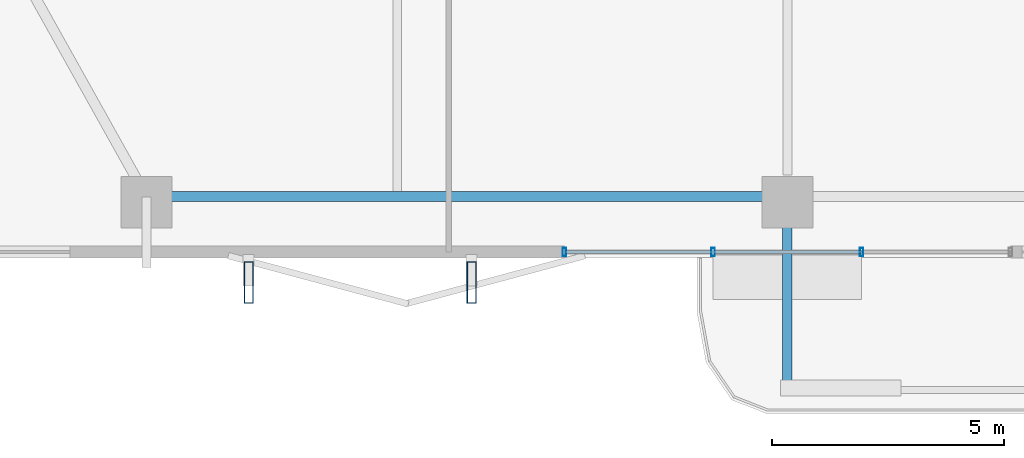
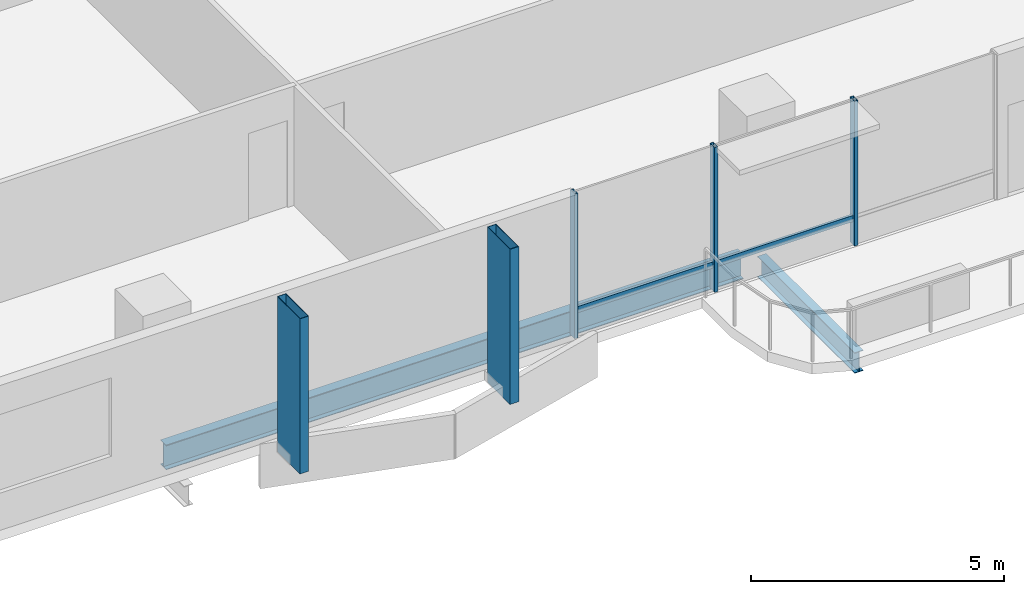
# One storey, part 3 of 29: 7 members, 2 beams, 1 element without a shape of its own.
"""IFC4 building model written with IfcOpenShell, lengths in metres."""

from ifc_helpers import new_model, si_unit, direction, frame, origin, origin_2d, place, context, subcontext, project, spatial, hollow_rectangle, i_section, extrude, material, layer, layer_set, material_profile, profile_set, type_object, element, aggregate, save


model = new_model("IFC4")

# Units and contexts
model_context = context("Model", 3, precision=1e-05, world=origin(), true_north=direction((0.0, 1.0)))
body_context = subcontext(model_context, "Body", "Model", "MODEL_VIEW")
ifc_project = project(units=[si_unit("LENGTHUNIT", "METRE"), si_unit("AREAUNIT", "SQUARE_METRE"), si_unit("VOLUMEUNIT", "CUBIC_METRE"), si_unit("PLANEANGLEUNIT", "RADIAN"), si_unit("MASSUNIT", "GRAM", prefix="KILO")], contexts=[model_context])

# Site, building, storey
site_placement = place(None, origin())
site = spatial("IfcSite", under=ifc_project, at=site_placement, CompositionType="ELEMENT")
building_placement = place(site_placement, origin())
building = spatial("IfcBuilding", under=site, at=building_placement, Name="Belovzor Exchange Tower", CompositionType="ELEMENT")
storey_placement = place(building_placement, frame((0.0, 0.0, 199.949951171875)))
storey = spatial("IfcBuildingStorey", under=building, at=storey_placement, Name="L49", CompositionType="ELEMENT", Elevation=199.949951171875)

# Beam
ifc_material_1 = material(Name="Steel S355", Category="steel")
ifc_material_profile_1 = material_profile(ifc_material_1, i_section(OverallWidth=0.199951171875, OverallDepth=0.5, WebThickness=0.01025390625, FlangeThickness=0.01611328125, at=origin_2d()))
ifc_profile_set_1 = profile_set([ifc_material_profile_1], Name="Steel S355")
beam_type_1 = type_object("IfcBeamType", Name="Planted Balcony Cantilever Beam IPE 500", PredefinedType="BEAM", material=ifc_profile_set_1)
beam_1_placement = place(storey_placement, frame((28.800048828125, 2.80810546875, -0.5), z_axis=(0.0, -1.0, 0.0), x_axis=(1.0, 0.0, 0.0)))
element("IfcBeam", 1, at=beam_1_placement, inside=storey, type_object=beam_type_1, Name="BC-500 Planted Balcony Cantilever Beam IPE 500", PredefinedType="BEAM", context=body_context, shape_type="SweptSolid", body=[
    extrude(i_section(OverallWidth=0.199951171875, OverallDepth=0.5, WebThickness=0.01025390625, FlangeThickness=0.01611328125, at=origin_2d()), origin(), (0.0, 0.0, 1.0), 3.85009765625),
])

# Members
ifc_material_2 = material(Name="Extruded Architectural Terracotta on Steel S355 Carrier", Category="masonry")
ifc_material_profile_2 = material_profile(ifc_material_2, hollow_rectangle(XDim=0.199951171875, YDim=0.89990234375, WallThickness=0.011962890625, at=origin_2d()))
ifc_profile_set_2 = profile_set([ifc_material_profile_2], Name="Extruded Architectural Terracotta on Steel S355 Carrier")
member_type_1 = type_object("IfcMemberType", Name="Sweeping Terracotta Baguette Fin Assembly 950", PredefinedType="USERDEFINED", material=ifc_profile_set_2)
for number, where, z_axis, x_axis, name in (
    (2, (17.199951171875, 1.27490234375, -0.25), (0.0, 0.0, 1.0), (1.0, 0.0, 0.0), "FIN-TC095 Terracotta Facade Fin L49 S1"),
    (3, (22.0, 1.27490234375, -0.25), (0.0, 0.0, 1.0), (1.0, 0.0, 0.0), "FIN-TC095 Terracotta Facade Fin L49 S2"),
):
    element("IfcMember", number, at=place(storey_placement, frame(where, z_axis=z_axis, x_axis=x_axis)), inside=storey, type_object=member_type_1, Name=name, ObjectType="FIN", PredefinedType="USERDEFINED", context=body_context, shape_type="SweptSolid", body=[
        extrude(hollow_rectangle(XDim=0.199951171875, YDim=0.89990234375, WallThickness=0.011962890625, at=origin_2d()), origin(), (0.0, 0.0, 1.0), 3.75),
    ])

# Curtain wall, members
ifc_material_3 = material(Name="Anodised Aluminium Framing", Category="aluminium")
ifc_layer = layer(ifc_material_3, 0.179931640625)
ifc_layer_set = layer_set([ifc_layer], Name="Anodised Aluminium Framing")
curtain_wall_type = type_object("IfcCurtainWallType", Name="Recessed Loggia Low-Iron Triple-Glazed Curtain Wall", PredefinedType="NOTDEFINED", material=ifc_layer_set)
curtain_wall_placement = place(storey_placement, origin())
curtain_wall = element("IfcCurtainWall", 4, at=curtain_wall_placement, inside=storey, type_object=curtain_wall_type, Name="CW3 Recessed Loggia Low-Iron Triple-Glazed Curtain Wall L49", PredefinedType="NOTDEFINED")
ifc_material_4 = material(Name="Steel S355", Category="steel")
ifc_material_profile_3 = material_profile(ifc_material_4, hollow_rectangle(XDim=0.074951171875, YDim=0.179931640625, WallThickness=0.0048828125, at=origin_2d()))
ifc_profile_set_3 = profile_set([ifc_material_profile_3], Name="Steel S355")
member_type_2 = type_object("IfcMemberType", Name="Thermally Broken Curtain Wall Mullion 180x75", PredefinedType="MULLION", material=ifc_profile_set_3)
member_1_placement = place(storey_placement, frame((30.39990234375, 1.929931640625, 0.0), z_axis=(0.0, 0.0, 1.0), x_axis=(-1.0, 0.0, 0.0)))
member_1 = element("IfcMember", 5, at=member_1_placement, type_object=member_type_2, Name="CW-M180 Curtain Wall Mullion 2", PredefinedType="MULLION", context=body_context, shape_type="SweptSolid", body=[
    extrude(hollow_rectangle(XDim=0.074951171875, YDim=0.179931640625, WallThickness=0.0048828125, at=origin_2d()), origin(), (0.0, 0.0, 1.0), 3.5),
])
member_2_placement = place(storey_placement, frame((27.199951171875, 1.929931640625, 0.0), z_axis=(0.0, 0.0, 1.0), x_axis=(-1.0, 0.0, 0.0)))
member_2 = element("IfcMember", 6, at=member_2_placement, type_object=member_type_2, Name="CW-M180 Curtain Wall Mullion 3", PredefinedType="MULLION", context=body_context, shape_type="SweptSolid", body=[
    extrude(hollow_rectangle(XDim=0.074951171875, YDim=0.179931640625, WallThickness=0.0048828125, at=origin_2d()), origin(), (0.0, 0.0, 1.0), 3.5),
])
member_3_placement = place(storey_placement, frame((24.0, 1.929931640625, 0.0), z_axis=(0.0, 0.0, 1.0), x_axis=(-1.0, 0.0, 0.0)))
member_3 = element("IfcMember", 7, at=member_3_placement, type_object=member_type_2, Name="CW-M180 Curtain Wall Mullion 4", PredefinedType="MULLION", context=body_context, shape_type="SweptSolid", body=[
    extrude(hollow_rectangle(XDim=0.074951171875, YDim=0.179931640625, WallThickness=0.0048828125, at=origin_2d()), origin(), (0.0, 0.0, 1.0), 3.5),
])
ifc_material_5 = material(Name="Steel S355", Category="steel")
ifc_material_profile_4 = material_profile(ifc_material_5, hollow_rectangle(XDim=0.06005859375, YDim=0.14990234375, WallThickness=0.00390625, at=origin_2d()))
ifc_profile_set_4 = profile_set([ifc_material_profile_4], Name="Steel S355")
member_type_3 = type_object("IfcMemberType", Name="Thermally Broken Curtain Wall Transom 150x60", PredefinedType="USERDEFINED", material=ifc_profile_set_4)
member_4_placement = place(storey_placement, frame((30.39208984375, 1.929931640625, 0.630126953125), z_axis=(-1.0, 0.0, 0.0), x_axis=(0.0, -1.0, 0.0)))
member_4 = element("IfcMember", 8, at=member_4_placement, type_object=member_type_3, Name="CW-T150 Curtain Wall Transom 2", ObjectType="TRANSOM", PredefinedType="USERDEFINED", context=body_context, shape_type="SweptSolid", body=[
    extrude(hollow_rectangle(XDim=0.06005859375, YDim=0.14990234375, WallThickness=0.00390625, at=origin_2d()), origin(), (0.0, 0.0, 1.0), 3.18408203125),
])
member_5_placement = place(storey_placement, frame((27.19189453125, 1.929931640625, 0.630126953125), z_axis=(-1.0, 0.0, 0.0), x_axis=(0.0, -1.0, 0.0)))
member_5 = element("IfcMember", 9, at=member_5_placement, type_object=member_type_3, Name="CW-T150 Curtain Wall Transom 3", ObjectType="TRANSOM", PredefinedType="USERDEFINED", context=body_context, shape_type="SweptSolid", body=[
    extrude(hollow_rectangle(XDim=0.06005859375, YDim=0.14990234375, WallThickness=0.00390625, at=origin_2d()), origin(), (0.0, 0.0, 1.0), 3.183837890625),
])
aggregate(curtain_wall, [member_1, member_2, member_3, member_4, member_5])

# Beam
ifc_material_6 = material(Name="Steel S355", Category="steel")
ifc_material_profile_5 = material_profile(ifc_material_6, i_section(OverallWidth=0.219970703125, OverallDepth=0.60009765625, WebThickness=0.011962890625, FlangeThickness=0.01904296875, at=origin_2d()))
ifc_profile_set_5 = profile_set([ifc_material_profile_5], Name="Steel S355")
beam_type_2 = type_object("IfcBeamType", Name="Zone 4 Flare Primary Girder IPE 600", PredefinedType="BEAM", material=ifc_profile_set_5)
beam_2_placement = place(storey_placement, frame((15.302978515625, 3.1220703125, -0.550048828125), z_axis=(1.0, 0.0, 0.0), x_axis=(0.0, 1.0, 0.0)))
element("IfcBeam", 10, at=beam_2_placement, inside=storey, type_object=beam_type_2, Name="FG-Z4 Zone 4 Flare Primary Girder IPE 600", PredefinedType="BEAM", context=body_context, shape_type="SweptSolid", body=[
    extrude(i_section(OverallWidth=0.219970703125, OverallDepth=0.60009765625, WebThickness=0.011962890625, FlangeThickness=0.01904296875, at=origin_2d()), origin(), (0.0, 0.0, 1.0), 13.195068359375),
])

save(model, "model.ifc")
